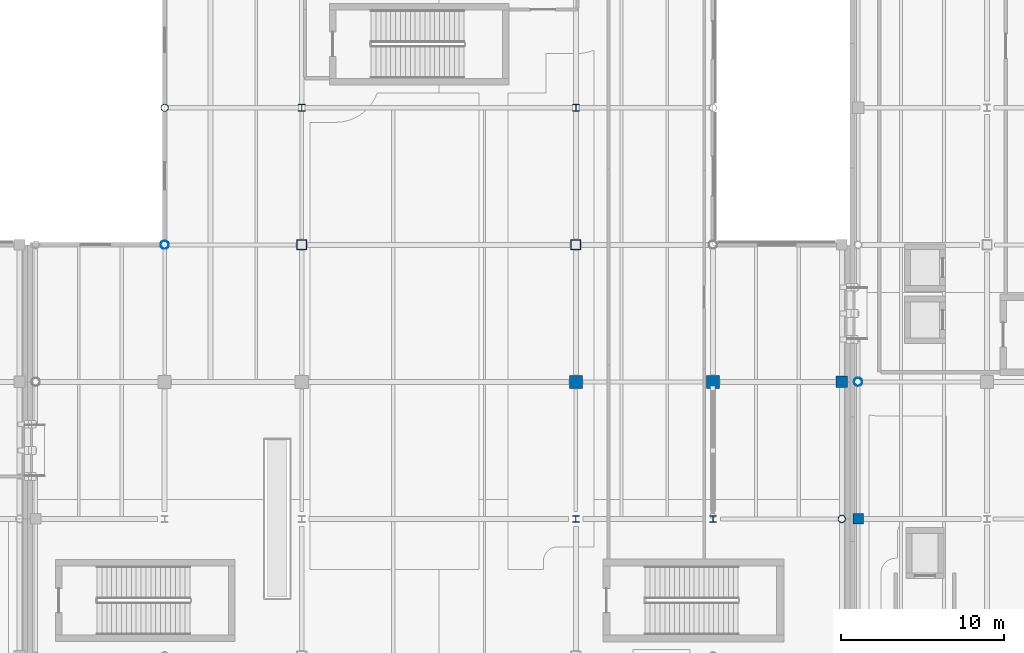
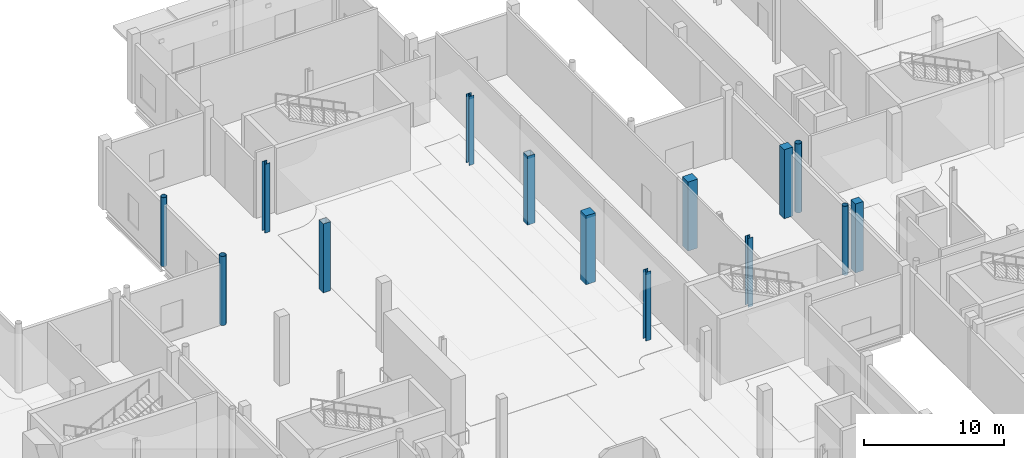
# One storey, part 9 of 85: 14 columns.
"""IFC4 building model written with IfcOpenShell, lengths in metres."""

import ifcopenshell
import ifcopenshell.guid

model = None  # the IFC model being written
_history = None  # IfcOwnerHistory: only IFC2X3 demands one
_inside = {}  # id of a spatial element -> (the spatial element, [elements in it])
_under = {}  # id of a project, library or spatial element -> (it, [spatial elements below it])
_declared = {}  # id of a project -> (the project, [libraries it declares])
_typed = {}  # id of a type object -> (the type object, [elements of that type])
_made_of = {}  # id of a material, layer set ... -> (it, [elements and type objects made of it])


def new_model(schema):
    """Start an empty IFC model of exactly this schema.

    Asked for "IFC4X3", IfcOpenShell would pick the latest addendum, in which some entities
    have other attributes; the version numbers below select the first issue.
    IFC2X3 requires an IfcOwnerHistory on every rooted entity: one is made here for all.
    """
    global model, _history
    if schema == "IFC4X3":
        model = ifcopenshell.file(schema_version=(4, 3, 0, 0))
    else:
        model = ifcopenshell.file(schema=schema)
    _inside.clear()
    _under.clear()
    _declared.clear()
    _typed.clear()
    _made_of.clear()
    _history = None
    if model.schema == "IFC2X3":
        org = make("IfcOrganization", Name="unknown")
        user = make(
            "IfcPersonAndOrganization",
            ThePerson=make("IfcPerson", FamilyName="unknown"),
            TheOrganization=org,
        )
        app = make(
            "IfcApplication",
            ApplicationDeveloper=org,
            Version="unknown",
            ApplicationFullName="unknown",
            ApplicationIdentifier="unknown",
        )
        _history = make(
            "IfcOwnerHistory",
            OwningUser=user,
            OwningApplication=app,
            ChangeAction="ADDED",
            CreationDate=0,
        )
    return model


def make(cls, **values):
    """One entity of the class cls with the attributes given. An attribute that is None is left unset."""
    return model.create_entity(
        cls, **{name: value for name, value in values.items() if value is not None}
    )


def rooted(cls, **values):
    """An entity with a GlobalId (a new one), such as an element, a storey or a relation."""
    return make(cls, GlobalId=ifcopenshell.guid.new(), OwnerHistory=_history, **values)


def si_unit(unit_type, name, prefix=None):
    """IfcSIUnit, for example si_unit("LENGTHUNIT", "METRE", prefix="MILLI")."""
    return make("IfcSIUnit", UnitType=unit_type, Prefix=prefix, Name=name)


def assignment(units):
    """IfcUnitAssignment: the units of a project."""
    return None if units is None else make("IfcUnitAssignment", Units=units)


def point(xyz):
    """IfcCartesianPoint."""
    return None if xyz is None else make("IfcCartesianPoint", Coordinates=xyz)


def direction(xyz):
    """IfcDirection."""
    return None if xyz is None else make("IfcDirection", DirectionRatios=xyz)


def frame(location, z_axis=None, x_axis=None):
    """IfcAxis2Placement3D, a coordinate frame: its origin and axes. An axis left out is left unset."""
    return make(
        "IfcAxis2Placement3D",
        Location=point(location),
        Axis=direction(z_axis),
        RefDirection=direction(x_axis),
    )


def frame_2d(location, x_axis=None):
    """IfcAxis2Placement2D, a coordinate frame in the plane: its origin and x axis."""
    return make(
        "IfcAxis2Placement2D", Location=point(location), RefDirection=direction(x_axis)
    )


def origin():
    """The frame at (0, 0, 0) with its axes left unset."""
    return frame((0.0, 0.0, 0.0))


def origin_2d():
    """The frame at (0, 0) in the plane with its x axis left unset."""
    return frame_2d((0.0, 0.0))


def place(relative_to, where):
    """IfcLocalPlacement: puts the frame where relative to a parent placement (None: the world)."""
    return make(
        "IfcLocalPlacement", PlacementRelTo=relative_to, RelativePlacement=where
    )


def context(
    kind, dimensions, precision=None, world=None, true_north=None, identifier=None
):
    """IfcGeometricRepresentationContext, for example the 3D "Model" context."""
    return make(
        "IfcGeometricRepresentationContext",
        ContextIdentifier=identifier,
        ContextType=kind,
        CoordinateSpaceDimension=dimensions,
        Precision=precision,
        WorldCoordinateSystem=world,
        TrueNorth=true_north,
    )


def subcontext(parent, identifier, kind, view, scale=None):
    """IfcGeometricRepresentationSubContext, for example "Body" below "Model"."""
    return make(
        "IfcGeometricRepresentationSubContext",
        ContextIdentifier=identifier,
        ContextType=kind,
        ParentContext=parent,
        TargetScale=scale,
        TargetView=view,
    )


def project(units=None, contexts=None):
    """IfcProject with its units and contexts."""
    return rooted(
        "IfcProject",
        Name="project",
        RepresentationContexts=contexts,
        UnitsInContext=assignment(units),
    )


def spatial(cls, under=None, at=None, **own):
    """A site, building, storey or space (cls), placed at a placement, below another one or the project."""
    s = rooted(cls, ObjectPlacement=at, **own)
    if under is not None:
        _under.setdefault(under.id(), (under, []))[1].append(s)
    return s


def profile(cls, at=None, kind="AREA", **sizes):
    """A parametric profile (cls). Its sizes go by their IFC names, for example OverallWidth=200.0."""
    return make(cls, ProfileType=kind, Position=at, **sizes)


def rectangle(**sizes):
    """IfcRectangleProfileDef."""
    return profile("IfcRectangleProfileDef", **sizes)


def hollow_rectangle(**sizes):
    """IfcRectangleHollowProfileDef."""
    return profile("IfcRectangleHollowProfileDef", **sizes)


def hollow_circle(**sizes):
    """IfcCircleHollowProfileDef."""
    return profile("IfcCircleHollowProfileDef", **sizes)


def i_section(**sizes):
    """IfcIShapeProfileDef."""
    return profile("IfcIShapeProfileDef", **sizes)


def extrude(swept, where, along, depth):
    """IfcExtrudedAreaSolid: the profile swept, set in the frame where, extruded along a direction by depth."""
    return make(
        "IfcExtrudedAreaSolid",
        SweptArea=swept,
        Position=where,
        ExtrudedDirection=direction(along),
        Depth=depth,
    )


def shape(context_of_items, identifier, shape_type, items):
    """IfcShapeRepresentation: the items that make up one representation, for example the "Body"."""
    return make(
        "IfcShapeRepresentation",
        ContextOfItems=context_of_items,
        RepresentationIdentifier=identifier,
        RepresentationType=shape_type,
        Items=items,
    )


def material(Name=None, Category=None):
    """IfcMaterial."""
    return make("IfcMaterial", Name=Name, Category=Category)


def material_profile(
    of_material, cross_section, Name=None, Category=None, Priority=None
):
    """IfcMaterialProfile: a cross section and its material."""
    return make(
        "IfcMaterialProfile",
        Name=Name,
        Material=of_material,
        Profile=cross_section,
        Priority=Priority,
        Category=Category,
    )


def profile_set(profiles, Name=None, composite=None):
    """IfcMaterialProfileSet."""
    return make(
        "IfcMaterialProfileSet",
        Name=Name,
        MaterialProfiles=profiles,
        CompositeProfile=composite,
    )


def made_of(thing, what):
    """Note that an element or type object is made of a material, layer set ...; save() writes the relation."""
    if what is not None:
        _made_of.setdefault(what.id(), (what, []))[1].append(thing)
    return thing


def type_object(cls, material=None, **own):
    """A type object (cls), such as IfcWallType, which elements share."""
    return made_of(rooted(cls, **own), material)


def element(
    cls,
    number,
    at=None,
    inside=None,
    cuts=None,
    type_object=None,
    material=None,
    context=None,
    identifier="Body",
    shape_type=None,
    held_by="IfcProductDefinitionShape",
    body=None,
    shapes=None,
    **own,
):
    """One element of the class cls, such as IfcWall. Its Tag is "e" and its number.

    at: its placement. inside: the storey or other place that contains it. cuts: it is an
    opening in that element (IfcRelVoidsElement). A single representation is given by context,
    identifier, shape_type and body (its items); several are given by shapes. held_by: the class
    of the entity that holds the representations. save() writes the other relations.
    """
    e = rooted(cls, Tag="e%d" % number, ObjectPlacement=at, **own)
    if body is not None:
        shapes = [shape(context, identifier, shape_type, body)]
    if shapes is not None:
        e.Representation = make(held_by, Representations=shapes)
    if inside is not None:
        _inside.setdefault(inside.id(), (inside, []))[1].append(e)
    if cuts is not None:
        rooted(
            "IfcRelVoidsElement", RelatingBuildingElement=cuts, RelatedOpeningElement=e
        )
    if type_object is not None:
        _typed.setdefault(type_object.id(), (type_object, []))[1].append(e)
    return made_of(e, material)


def aggregate(whole, parts):
    """IfcRelAggregates: a whole, such as a stair, and the parts it consists of."""
    return rooted("IfcRelAggregates", RelatingObject=whole, RelatedObjects=parts)


def save(model, path):
    """Write the relations noted so far, then the file.

    IfcRelAggregates (storeys below a building ...), IfcRelContainedInSpatialStructure (elements
    in a storey), IfcRelDefinesByType, IfcRelAssociatesMaterial and IfcRelDeclares: one each for
    every whole, place, type object, material and project.
    """
    for whole, parts in _under.values():
        aggregate(whole, parts)
    for where, things in _inside.values():
        rooted(
            "IfcRelContainedInSpatialStructure",
            RelatedElements=things,
            RelatingStructure=where,
        )
    for kind, things in _typed.values():
        rooted("IfcRelDefinesByType", RelatedObjects=things, RelatingType=kind)
    for what, things in _made_of.values():
        rooted("IfcRelAssociatesMaterial", RelatedObjects=things, RelatingMaterial=what)
    for by, libraries in _declared.values():
        rooted("IfcRelDeclares", RelatingContext=by, RelatedDefinitions=libraries)
    model.write(path)


model = new_model("IFC4")

# Units and contexts
model_context = context("Model", 3, precision=1e-05, world=origin(), true_north=direction((0.0, 1.0)))
body_context = subcontext(model_context, "Body", "Model", "MODEL_VIEW")
ifc_project = project(units=[si_unit("LENGTHUNIT", "METRE"), si_unit("AREAUNIT", "SQUARE_METRE"), si_unit("VOLUMEUNIT", "CUBIC_METRE"), si_unit("PLANEANGLEUNIT", "RADIAN"), si_unit("MASSUNIT", "GRAM", prefix="KILO"), si_unit("THERMODYNAMICTEMPERATUREUNIT", "KELVIN")], contexts=[model_context])

# Site, building, storey
site_placement = place(None, origin())
site = spatial("IfcSite", under=ifc_project, at=site_placement, CompositionType="ELEMENT")
building_placement = place(site_placement, origin())
building = spatial("IfcBuilding", under=site, at=building_placement, Name="Lustrewick Department Store", CompositionType="ELEMENT")
storey_placement = place(building_placement, origin())
storey = spatial("IfcBuildingStorey", under=building, at=storey_placement, Name="L01", CompositionType="ELEMENT", Elevation=0.0)

# Columns
ifc_material_1 = material(Name="Structural steel Q355C", Category="steel")
ifc_material_profile_1 = material_profile(ifc_material_1, hollow_rectangle(XDim=0.60009765625, YDim=0.60009765625, WallThickness=0.02392578125, at=origin_2d()), Name="BOX 600x600x24")
ifc_profile_set_1 = profile_set([ifc_material_profile_1], Name="Structural steel Q355C")
column_type_1 = type_object("IfcColumnType", Name="C04", PredefinedType="COLUMN", material=ifc_profile_set_1)
for number, where, z_axis, x_axis, name in (
    (1, (75.60009765625, 84.0, 0.0), (0.0, 0.0, 1.0), (1.0, 0.0, 0.0), "L01 V2 Column C04"),
    (2, (92.39990234375, 84.0, 0.0), (0.0, 0.0, 1.0), (1.0, 0.0, 0.0), "L01 V2 Column C04"),
):
    element("IfcColumn", number, at=place(storey_placement, frame(where, z_axis=z_axis, x_axis=x_axis)), inside=storey, type_object=column_type_1, Name=name, PredefinedType="COLUMN", context=body_context, shape_type="SweptSolid", body=[
        extrude(hollow_rectangle(XDim=0.60009765625, YDim=0.60009765625, WallThickness=0.02392578125, at=origin_2d()), origin(), (0.0, 0.0, 1.0), 6.0),
    ])
ifc_material_profile_2 = material_profile(ifc_material_1, i_section(OverallWidth=0.405029296875, OverallDepth=0.4140625, WebThickness=0.01806640625, FlangeThickness=0.028076171875, FilletRadius=0.02197265625, at=origin_2d()), Name="HW 414x405x18x28")
ifc_profile_set_2 = profile_set([ifc_material_profile_2], Name="Structural steel Q355C")
column_type_2 = type_object("IfcColumnType", Name="C10", PredefinedType="COLUMN", material=ifc_profile_set_2)
for number, where, z_axis, x_axis, name in (
    (3, (75.60009765625, 92.39990234375, 0.0), (0.0, 0.0, 1.0), (1.0, 0.0, 0.0), "L01 V2 Column C10"),
    (4, (92.39990234375, 92.39990234375, 0.0), (0.0, 0.0, 1.0), (1.0, 0.0, 0.0), "L01 V2 Column C10"),
):
    element("IfcColumn", number, at=place(storey_placement, frame(where, z_axis=z_axis, x_axis=x_axis)), inside=storey, type_object=column_type_2, Name=name, PredefinedType="COLUMN", context=body_context, shape_type="SweptSolid", body=[
        extrude(i_section(OverallWidth=0.405029296875, OverallDepth=0.4140625, WebThickness=0.01806640625, FlangeThickness=0.028076171875, FilletRadius=0.02197265625, at=origin_2d()), origin(), (0.0, 0.0, 1.0), 6.0),
    ])
ifc_material_2 = material(Name="Structural steel Q355B", Category="steel")
ifc_material_profile_3 = material_profile(ifc_material_2, i_section(OverallWidth=0.39990234375, OverallDepth=0.39990234375, WebThickness=0.012939453125, FlangeThickness=0.02099609375, FilletRadius=0.02197265625, at=origin_2d()), Name="HW 400x400x13x21")
ifc_profile_set_3 = profile_set([ifc_material_profile_3], Name="Structural steel Q355B")
column_type_3 = type_object("IfcColumnType", Name="C11", PredefinedType="COLUMN", material=ifc_profile_set_3)
for number, where, z_axis, x_axis, name in (
    (5, (92.39990234375, 67.199951171875, 0.0), (0.0, 0.0, 1.0), (1.0, 0.0, 0.0), "L01 V2 Column C11"),
    (6, (100.800048828125, 67.199951171875, 0.0), (0.0, 0.0, 1.0), (1.0, 0.0, 0.0), "L01 V2 Column C11"),
):
    element("IfcColumn", number, at=place(storey_placement, frame(where, z_axis=z_axis, x_axis=x_axis)), inside=storey, type_object=column_type_3, Name=name, PredefinedType="COLUMN", context=body_context, shape_type="SweptSolid", body=[
        extrude(i_section(OverallWidth=0.39990234375, OverallDepth=0.39990234375, WebThickness=0.012939453125, FlangeThickness=0.02099609375, FilletRadius=0.02197265625, at=origin_2d()), origin(), (0.0, 0.0, 1.0), 6.0),
    ])
ifc_material_3 = material(Name="Concrete C40", Category="concrete")
ifc_material_profile_4 = material_profile(ifc_material_3, rectangle(XDim=0.800048828125, YDim=0.800048828125, at=origin_2d()), Name="RC 800x800")
ifc_profile_set_4 = profile_set([ifc_material_profile_4], Name="Concrete C40")
column_type_4 = type_object("IfcColumnType", Name="C19", PredefinedType="COLUMN", material=ifc_profile_set_4)
for number, where, z_axis, x_axis, name in (
    (7, (92.39990234375, 75.60009765625, 0.0), (0.0, 0.0, 1.0), (1.0, 0.0, 0.0), "L01 V2 Column C19"),
    (8, (100.800048828125, 75.60009765625, 0.0), (0.0, 0.0, 1.0), (1.0, 0.0, 0.0), "L01 V2 Column C19"),
):
    element("IfcColumn", number, at=place(storey_placement, frame(where, z_axis=z_axis, x_axis=x_axis)), inside=storey, type_object=column_type_4, Name=name, PredefinedType="COLUMN", context=body_context, shape_type="SweptSolid", body=[
        extrude(rectangle(XDim=0.800048828125, YDim=0.800048828125, at=origin_2d()), origin(), (0.0, 0.0, 1.0), 6.0),
    ])
ifc_material_profile_5 = material_profile(ifc_material_1, hollow_circle(Radius=0.25390625, WallThickness=0.01611328125, at=origin_2d()), Name="CHS 508x16")
ifc_profile_set_5 = profile_set([ifc_material_profile_5], Name="Structural steel Q355C")
column_type_5 = type_object("IfcColumnType", Name="CE01", PredefinedType="COLUMN", material=ifc_profile_set_5)
for number, where, z_axis, x_axis, name in (
    (9, (67.199951171875, 84.0, 0.0), (0.0, 0.0, 1.0), (1.0, 0.0, 0.0), "L01 V2 Column CE01"),
    (10, (109.699951171875, 75.60009765625, 0.0), (0.0, 0.0, 1.0), (1.0, 0.0, 0.0), "L01 V4 Column CE01"),
):
    element("IfcColumn", number, at=place(storey_placement, frame(where, z_axis=z_axis, x_axis=x_axis)), inside=storey, type_object=column_type_5, Name=name, PredefinedType="COLUMN", context=body_context, shape_type="SweptSolid", body=[
        extrude(hollow_circle(Radius=0.25390625, WallThickness=0.01611328125, at=origin_2d()), origin(), (0.0, 0.0, 1.0), 6.0),
    ])
ifc_material_profile_6 = material_profile(ifc_material_1, hollow_circle(Radius=0.228515625, WallThickness=0.01611328125, at=origin_2d()), Name="CHS 457x16")
ifc_profile_set_6 = profile_set([ifc_material_profile_6], Name="Structural steel Q355C")
column_type_6 = type_object("IfcColumnType", Name="CE02", PredefinedType="COLUMN", material=ifc_profile_set_6)
for number, where, z_axis, x_axis, name in (
    (11, (67.199951171875, 92.39990234375, 0.0), (0.0, 0.0, 1.0), (1.0, 0.0, 0.0), "L01 V2 Column CE02"),
    (12, (108.699951171875, 67.199951171875, 0.0), (0.0, 0.0, 1.0), (1.0, 0.0, 0.0), "L01 V2 Column CE02"),
):
    element("IfcColumn", number, at=place(storey_placement, frame(where, z_axis=z_axis, x_axis=x_axis)), inside=storey, type_object=column_type_6, Name=name, PredefinedType="COLUMN", context=body_context, shape_type="SweptSolid", body=[
        extrude(hollow_circle(Radius=0.228515625, WallThickness=0.01611328125, at=origin_2d()), origin(), (0.0, 0.0, 1.0), 6.0),
    ])
ifc_material_profile_7 = material_profile(ifc_material_3, rectangle(XDim=0.699951171875, YDim=0.699951171875, at=origin_2d()), Name="RC 700x700")
ifc_profile_set_7 = profile_set([ifc_material_profile_7], Name="Concrete C40")
column_type_7 = type_object("IfcColumnType", Name="CE06", PredefinedType="COLUMN", material=ifc_profile_set_7)
column_1_placement = place(storey_placement, frame((108.699951171875, 75.60009765625, 0.0), z_axis=(0.0, 0.0, 1.0), x_axis=(1.0, 0.0, 0.0)))
element("IfcColumn", 13, at=column_1_placement, inside=storey, type_object=column_type_7, Name="L01 V2 Column CE06", PredefinedType="COLUMN", context=body_context, shape_type="SweptSolid", body=[
    extrude(rectangle(XDim=0.699951171875, YDim=0.699951171875, at=origin_2d()), origin(), (0.0, 0.0, 1.0), 6.0),
])
ifc_material_profile_8 = material_profile(ifc_material_3, rectangle(XDim=0.64990234375, YDim=0.64990234375, at=origin_2d()), Name="RC 650x650")
ifc_profile_set_8 = profile_set([ifc_material_profile_8], Name="Concrete C40")
column_type_8 = type_object("IfcColumnType", Name="CE07", PredefinedType="COLUMN", material=ifc_profile_set_8)
column_2_placement = place(storey_placement, frame((109.699951171875, 67.199951171875, 0.0), z_axis=(0.0, 0.0, 1.0), x_axis=(1.0, 0.0, 0.0)))
element("IfcColumn", 14, at=column_2_placement, inside=storey, type_object=column_type_8, Name="L01 V4 Column CE07", PredefinedType="COLUMN", context=body_context, shape_type="SweptSolid", body=[
    extrude(rectangle(XDim=0.64990234375, YDim=0.64990234375, at=origin_2d()), origin(), (0.0, 0.0, 1.0), 6.0),
])

save(model, "model.ifc")
